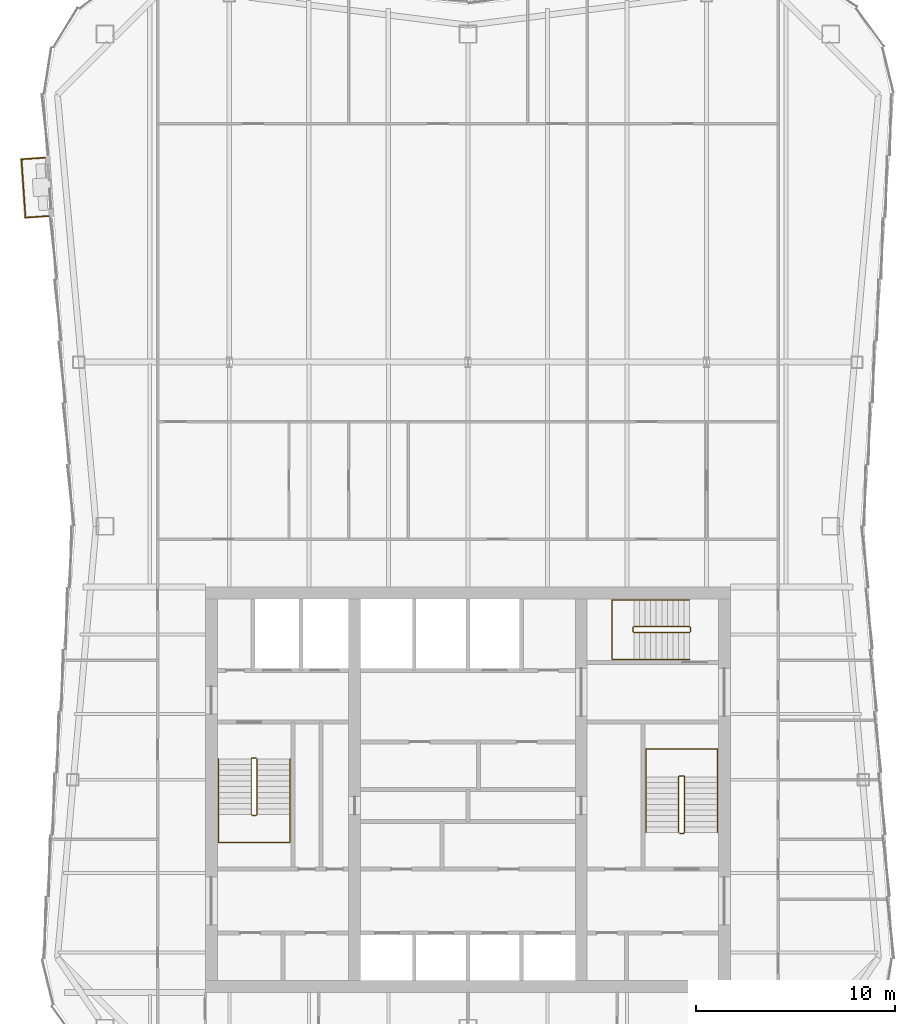
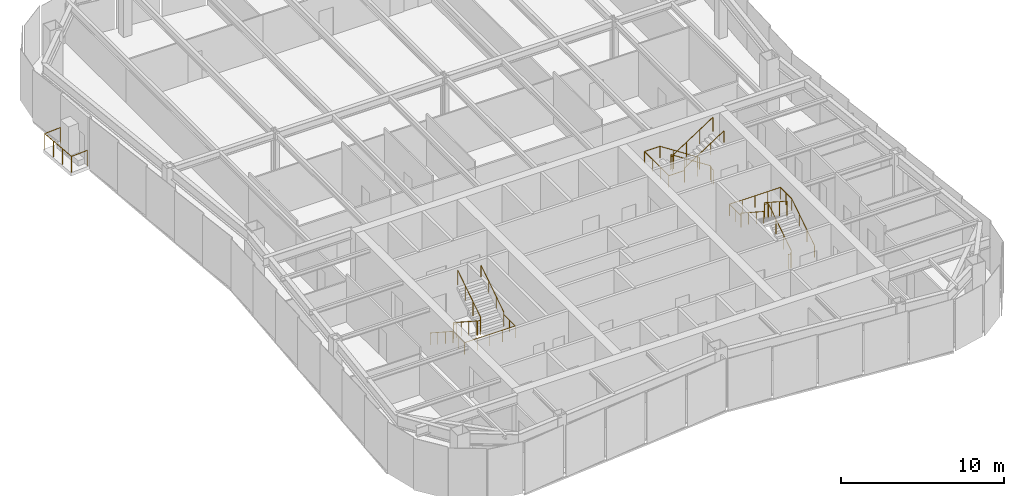
# One storey, part 10 of 11: 7 railings.
"""IFC4 building model written with IfcOpenShell, lengths in metres."""

from ifc_helpers import new_model, si_unit, direction, frame, origin, origin_2d, place, context, subcontext, project, spatial, circle, extrude, material, type_object, element, save


model = new_model("IFC4")

# Units and contexts
model_context = context("Model", 3, precision=1e-05, world=origin(), true_north=direction((0.0, 1.0)))
body_context = subcontext(model_context, "Body", "Model", "MODEL_VIEW")
ifc_project = project(units=[si_unit("LENGTHUNIT", "METRE"), si_unit("AREAUNIT", "SQUARE_METRE"), si_unit("VOLUMEUNIT", "CUBIC_METRE"), si_unit("PLANEANGLEUNIT", "RADIAN"), si_unit("MASSUNIT", "GRAM", prefix="KILO")], contexts=[model_context])

# Site, building, storey
site_placement = place(None, origin())
site = spatial("IfcSite", under=ifc_project, at=site_placement, CompositionType="ELEMENT")
building_placement = place(site_placement, origin())
building = spatial("IfcBuilding", under=site, at=building_placement, Name="Verdant Reach Tower", CompositionType="ELEMENT")
storey_placement = place(building_placement, frame((0.0, 0.0, 314.0)))
storey = spatial("IfcBuildingStorey", under=building, at=storey_placement, Name="L72", CompositionType="ELEMENT", Elevation=314.0)

# Railings
ifc_material_1 = material(Name="Stainless steel", Category="steel")
railing_type_1 = type_object("IfcRailingType", Name="CO-GUARD", PredefinedType="GUARDRAIL", material=ifc_material_1)
railing_1_placement = place(storey_placement, frame((-10.64990234375, 29.60009765625, 0.0)))
element("IfcRailing", 1, at=railing_1_placement, inside=storey, type_object=railing_type_1, Name="L72 ST-1 stair guard 1", PredefinedType="GUARDRAIL", context=body_context, shape_type="SweptSolid", body=[
    extrude(circle(Radius=0.02392578125, at=origin_2d()), frame((0.0, 0.0, 1.076171875), z_axis=(-1.0, 0.0, 0.0), x_axis=(0.0, -1.0, 0.0)), (0.0, 0.0, 1.0), 0.2001953125),
    extrude(circle(Radius=0.02392578125, at=origin_2d()), frame((-0.2001953125, 0.0, 1.076171875), z_axis=(-0.25526617399, -0.256517478764, 0.932222056972), x_axis=(0.708833529934, -0.705375805398, 0.0)), (0.0, 0.0, 1.0), 0.195068359375),
    extrude(circle(Radius=0.02392578125, at=origin_2d()), frame((-0.25, -0.050048828125, 1.2578125), z_axis=(0.0, -0.838705829183, 0.544584733623), x_axis=(1.0, 0.0, 0.0)), (0.0, 0.0, 1.0), 3.338623046875),
    extrude(circle(Radius=0.02392578125, at=origin_2d()), frame((-0.25, -2.85009765625, 3.076171875), z_axis=(0.705375805398, -0.708833529934, 0.0), x_axis=(0.708833529934, 0.705375805398, 0.0)), (0.0, 0.0, 1.0), 0.070556640625),
    extrude(circle(Radius=0.02392578125, at=origin_2d()), frame((-0.2001953125, -2.900146484375, 3.076171875), z_axis=(1.0, 0.0, 0.0), x_axis=(0.0, 1.0, 0.0)), (0.0, 0.0, 1.0), 0.2001953125),
    extrude(circle(Radius=0.02392578125, at=origin_2d()), frame((0.0, -2.900146484375, 3.076171875), z_axis=(0.25526617399, 0.256517478764, 0.932222056972), x_axis=(-0.708833529934, 0.705375805398, 0.0)), (0.0, 0.0, 1.0), 0.195068359375),
    extrude(circle(Radius=0.02392578125, at=origin_2d()), frame((0.0498046875, -2.85009765625, 3.2578125), z_axis=(0.0, 0.838705829183, 0.544584733623), x_axis=(-1.0, 0.0, 0.0)), (0.0, 0.0, 1.0), 3.338623046875),
    extrude(circle(Radius=0.02099609375, at=origin_2d()), origin(), (0.0, 0.0, 1.0), 1.052001953125),
    extrude(circle(Radius=0.02099609375, at=origin_2d()), frame((-0.2001953125, 0.0, 0.0)), (0.0, 0.0, 1.0), 1.052001953125),
    extrude(circle(Radius=0.02099609375, at=origin_2d()), frame((-0.25, -0.050048828125, 0.181884765625)), (0.0, 0.0, 1.0), 1.052001953125),
    extrude(circle(Radius=0.02099609375, at=origin_2d()), frame((-0.25, -0.9833984375, 0.787841796875)), (0.0, 0.0, 1.0), 1.052001953125),
    extrude(circle(Radius=0.02099609375, at=origin_2d()), frame((-0.25, -1.916748046875, 1.39404296875)), (0.0, 0.0, 1.0), 1.052001953125),
    extrude(circle(Radius=0.02099609375, at=origin_2d()), frame((-0.25, -2.85009765625, 2.0)), (0.0, 0.0, 1.0), 1.052001953125),
    extrude(circle(Radius=0.02099609375, at=origin_2d()), frame((-0.2001953125, -2.900146484375, 2.0)), (0.0, 0.0, 1.0), 1.052001953125),
    extrude(circle(Radius=0.02099609375, at=origin_2d()), frame((0.0, -2.900146484375, 2.0)), (0.0, 0.0, 1.0), 1.052001953125),
    extrude(circle(Radius=0.02099609375, at=origin_2d()), frame((0.0498046875, -2.85009765625, 2.181884765625)), (0.0, 0.0, 1.0), 1.052001953125),
    extrude(circle(Radius=0.02099609375, at=origin_2d()), frame((0.0498046875, -1.916748046875, 2.787841796875)), (0.0, 0.0, 1.0), 1.052001953125),
    extrude(circle(Radius=0.02099609375, at=origin_2d()), frame((0.0498046875, -0.9833984375, 3.39404296875)), (0.0, 0.0, 1.0), 1.052001953125),
    extrude(circle(Radius=0.02099609375, at=origin_2d()), frame((0.0498046875, -0.050048828125, 4.0)), (0.0, 0.0, 1.0), 1.052001953125),
])
railing_2_placement = place(storey_placement, frame((10.64990234375, 25.800048828125, 0.0)))
element("IfcRailing", 2, at=railing_2_placement, inside=storey, type_object=railing_type_1, Name="L72 ST-2 stair guard 1", PredefinedType="GUARDRAIL", context=body_context, shape_type="SweptSolid", body=[
    extrude(circle(Radius=0.02392578125, at=origin_2d()), frame((0.0, 0.0, 1.076171875), z_axis=(1.0, 0.0, 0.0), x_axis=(0.0, 1.0, 0.0)), (0.0, 0.0, 1.0), 0.2001953125),
    extrude(circle(Radius=0.02392578125, at=origin_2d()), frame((0.2001953125, 0.0, 1.076171875), z_axis=(0.25526617399, 0.256517478764, 0.932222056972), x_axis=(-0.708833529934, 0.705375805398, 0.0)), (0.0, 0.0, 1.0), 0.195068359375),
    extrude(circle(Radius=0.02392578125, at=origin_2d()), frame((0.25, 0.050048828125, 1.2578125), z_axis=(0.0, 0.83868413941, 0.544618136222), x_axis=(-1.0, 0.0, 0.0)), (0.0, 0.0, 1.0), 3.33837890625),
    extrude(circle(Radius=0.02392578125, at=origin_2d()), frame((0.25, 2.849853515625, 3.076171875), z_axis=(-0.705375805398, 0.708833529934, 0.0), x_axis=(-0.708833529934, -0.705375805398, 0.0)), (0.0, 0.0, 1.0), 0.070556640625),
    extrude(circle(Radius=0.02392578125, at=origin_2d()), frame((0.2001953125, 2.89990234375, 3.076171875), z_axis=(-1.0, 0.0, 0.0), x_axis=(0.0, -1.0, 0.0)), (0.0, 0.0, 1.0), 0.2001953125),
    extrude(circle(Radius=0.02392578125, at=origin_2d()), frame((0.0, 2.89990234375, 3.076171875), z_axis=(-0.25526617399, -0.256517478764, 0.932222056972), x_axis=(0.708833529934, -0.705375805398, 0.0)), (0.0, 0.0, 1.0), 0.195068359375),
    extrude(circle(Radius=0.02392578125, at=origin_2d()), frame((-0.0498046875, 2.849853515625, 3.2578125), z_axis=(0.0, -0.83868413941, 0.544618136222), x_axis=(1.0, 0.0, 0.0)), (0.0, 0.0, 1.0), 3.33837890625),
    extrude(circle(Radius=0.02099609375, at=origin_2d()), origin(), (0.0, 0.0, 1.0), 1.052001953125),
    extrude(circle(Radius=0.02099609375, at=origin_2d()), frame((0.2001953125, 0.0, 0.0)), (0.0, 0.0, 1.0), 1.052001953125),
    extrude(circle(Radius=0.02099609375, at=origin_2d()), frame((0.25, 0.050048828125, 0.181884765625)), (0.0, 0.0, 1.0), 1.052001953125),
    extrude(circle(Radius=0.02099609375, at=origin_2d()), frame((0.25, 0.9833984375, 0.787841796875)), (0.0, 0.0, 1.0), 1.052001953125),
    extrude(circle(Radius=0.02099609375, at=origin_2d()), frame((0.25, 1.91650390625, 1.39404296875)), (0.0, 0.0, 1.0), 1.052001953125),
    extrude(circle(Radius=0.02099609375, at=origin_2d()), frame((0.25, 2.849853515625, 2.0)), (0.0, 0.0, 1.0), 1.052001953125),
    extrude(circle(Radius=0.02099609375, at=origin_2d()), frame((0.2001953125, 2.89990234375, 2.0)), (0.0, 0.0, 1.0), 1.052001953125),
    extrude(circle(Radius=0.02099609375, at=origin_2d()), frame((0.0, 2.89990234375, 2.0)), (0.0, 0.0, 1.0), 1.052001953125),
    extrude(circle(Radius=0.02099609375, at=origin_2d()), frame((-0.0498046875, 2.849853515625, 2.181884765625)), (0.0, 0.0, 1.0), 1.052001953125),
    extrude(circle(Radius=0.02099609375, at=origin_2d()), frame((-0.0498046875, 1.91650390625, 2.787841796875)), (0.0, 0.0, 1.0), 1.052001953125),
    extrude(circle(Radius=0.02099609375, at=origin_2d()), frame((-0.0498046875, 0.9833984375, 3.39404296875)), (0.0, 0.0, 1.0), 1.052001953125),
    extrude(circle(Radius=0.02099609375, at=origin_2d()), frame((-0.0498046875, 0.050048828125, 4.0)), (0.0, 0.0, 1.0), 1.052001953125),
])
railing_3_placement = place(storey_placement, frame((11.199951171875, 35.949951171875, 0.0)))
element("IfcRailing", 3, at=railing_3_placement, inside=storey, type_object=railing_type_1, Name="L72 ST-3 stair guard 1", PredefinedType="GUARDRAIL", context=body_context, shape_type="SweptSolid", body=[
    extrude(circle(Radius=0.02392578125, at=origin_2d()), frame((0.0, 0.0, 1.076171875), z_axis=(0.0, 1.0, 0.0), x_axis=(-1.0, 0.0, 0.0)), (0.0, 0.0, 1.0), 0.199951171875),
    extrude(circle(Radius=0.02392578125, at=origin_2d()), frame((0.0, 0.199951171875, 1.076171875), z_axis=(-0.256435381639, 0.256435381639, 0.931923704005), x_axis=(-0.707106781187, -0.707106781187, 0.0)), (0.0, 0.0, 1.0), 0.195068359375),
    extrude(circle(Radius=0.02392578125, at=origin_2d()), frame((-0.050048828125, 0.25, 1.2578125), z_axis=(-0.83868413941, 0.0, 0.544618136222), x_axis=(0.0, -1.0, 0.0)), (0.0, 0.0, 1.0), 3.33837890625),
    extrude(circle(Radius=0.02392578125, at=origin_2d()), frame((-2.849853515625, 0.25, 3.076171875), z_axis=(-0.707106781187, -0.707106781187, 0.0), x_axis=(0.707106781187, -0.707106781187, 0.0)), (0.0, 0.0, 1.0), 0.07080078125),
    extrude(circle(Radius=0.02392578125, at=origin_2d()), frame((-2.89990234375, 0.199951171875, 3.076171875), z_axis=(0.0, -1.0, 0.0), x_axis=(1.0, 0.0, 0.0)), (0.0, 0.0, 1.0), 0.199951171875),
    extrude(circle(Radius=0.02392578125, at=origin_2d()), frame((-2.89990234375, 0.0, 3.076171875), z_axis=(0.256435381639, -0.256435381639, 0.931923704005), x_axis=(0.707106781187, 0.707106781187, 0.0)), (0.0, 0.0, 1.0), 0.195068359375),
    extrude(circle(Radius=0.02392578125, at=origin_2d()), frame((-2.849853515625, -0.050048828125, 3.2578125), z_axis=(0.83868413941, 0.0, 0.544618136222), x_axis=(0.0, 1.0, 0.0)), (0.0, 0.0, 1.0), 3.33837890625),
    extrude(circle(Radius=0.02099609375, at=origin_2d()), origin(), (0.0, 0.0, 1.0), 1.052001953125),
    extrude(circle(Radius=0.02099609375, at=origin_2d()), frame((0.0, 0.199951171875, 0.0)), (0.0, 0.0, 1.0), 1.052001953125),
    extrude(circle(Radius=0.02099609375, at=origin_2d()), frame((-0.050048828125, 0.25, 0.181884765625)), (0.0, 0.0, 1.0), 1.052001953125),
    extrude(circle(Radius=0.02099609375, at=origin_2d()), frame((-0.9833984375, 0.25, 0.787841796875)), (0.0, 0.0, 1.0), 1.052001953125),
    extrude(circle(Radius=0.02099609375, at=origin_2d()), frame((-1.91650390625, 0.25, 1.39404296875)), (0.0, 0.0, 1.0), 1.052001953125),
    extrude(circle(Radius=0.02099609375, at=origin_2d()), frame((-2.849853515625, 0.25, 2.0)), (0.0, 0.0, 1.0), 1.052001953125),
    extrude(circle(Radius=0.02099609375, at=origin_2d()), frame((-2.89990234375, 0.199951171875, 2.0)), (0.0, 0.0, 1.0), 1.052001953125),
    extrude(circle(Radius=0.02099609375, at=origin_2d()), frame((-2.89990234375, 0.0, 2.0)), (0.0, 0.0, 1.0), 1.052001953125),
    extrude(circle(Radius=0.02099609375, at=origin_2d()), frame((-2.849853515625, -0.050048828125, 2.181884765625)), (0.0, 0.0, 1.0), 1.052001953125),
    extrude(circle(Radius=0.02099609375, at=origin_2d()), frame((-1.91650390625, -0.050048828125, 2.787841796875)), (0.0, 0.0, 1.0), 1.052001953125),
    extrude(circle(Radius=0.02099609375, at=origin_2d()), frame((-0.9833984375, -0.050048828125, 3.39404296875)), (0.0, 0.0, 1.0), 1.052001953125),
    extrude(circle(Radius=0.02099609375, at=origin_2d()), frame((-0.050048828125, -0.050048828125, 4.0)), (0.0, 0.0, 1.0), 1.052001953125),
])
railing_type_2 = type_object("IfcRailingType", Name="CO-HANDRAIL", PredefinedType="HANDRAIL", material=ifc_material_1)
railing_4_placement = place(storey_placement, frame((-12.550048828125, 29.550048828125, 0.181884765625)))
element("IfcRailing", 4, at=railing_4_placement, inside=storey, type_object=railing_type_2, Name="L72 ST-1 stair handrail 1", PredefinedType="HANDRAIL", context=body_context, shape_type="SweptSolid", body=[
    extrude(circle(Radius=0.02392578125, at=origin_2d()), frame((0.0, 0.0, 0.8759765625), z_axis=(0.0, -0.838705829183, 0.544584733623), x_axis=(1.0, 0.0, 0.0)), (0.0, 0.0, 1.0), 3.338623046875),
    extrude(circle(Radius=0.02392578125, at=origin_2d()), frame((0.0, -2.800048828125, 2.69384765625), z_axis=(0.0, -1.0, 0.0), x_axis=(1.0, 0.0, 0.0)), (0.0, 0.0, 1.0), 1.39990234375),
    extrude(circle(Radius=0.02392578125, at=origin_2d()), frame((0.0, -4.199951171875, 2.69384765625), z_axis=(1.0, 0.0, 0.0), x_axis=(0.0, 1.0, 0.0)), (0.0, 0.0, 1.0), 3.60009765625),
    extrude(circle(Radius=0.02392578125, at=origin_2d()), frame((3.60009765625, -4.199951171875, 2.69384765625), z_axis=(0.0, 1.0, 0.0), x_axis=(-1.0, 0.0, 0.0)), (0.0, 0.0, 1.0), 1.39990234375),
    extrude(circle(Radius=0.02392578125, at=origin_2d()), frame((3.60009765625, -2.800048828125, 2.69384765625), z_axis=(0.0, 0.0, 1.0), x_axis=(1.0, 0.0, 0.0)), (0.0, 0.0, 1.0), 0.181884765625),
    extrude(circle(Radius=0.02392578125, at=origin_2d()), frame((3.60009765625, -2.800048828125, 2.8759765625), z_axis=(0.0, 0.838705829183, 0.544584733623), x_axis=(-1.0, 0.0, 0.0)), (0.0, 0.0, 1.0), 3.338623046875),
    extrude(circle(Radius=0.02099609375, at=origin_2d()), origin(), (0.0, 0.0, 1.0), 0.851806640625),
    extrude(circle(Radius=0.02099609375, at=origin_2d()), frame((0.0, -0.933349609375, 0.60595703125)), (0.0, 0.0, 1.0), 0.851806640625),
    extrude(circle(Radius=0.02099609375, at=origin_2d()), frame((0.0, -1.86669921875, 1.212158203125)), (0.0, 0.0, 1.0), 0.851806640625),
    extrude(circle(Radius=0.02099609375, at=origin_2d()), frame((0.0, -2.800048828125, 1.818115234375)), (0.0, 0.0, 1.0), 0.851806640625),
    extrude(circle(Radius=0.02099609375, at=origin_2d()), frame((0.0, -3.5, 1.818115234375)), (0.0, 0.0, 1.0), 0.851806640625),
    extrude(circle(Radius=0.02099609375, at=origin_2d()), frame((0.0, -4.199951171875, 1.818115234375)), (0.0, 0.0, 1.0), 0.851806640625),
    extrude(circle(Radius=0.02099609375, at=origin_2d()), frame((0.89990234375, -4.199951171875, 1.818115234375)), (0.0, 0.0, 1.0), 0.851806640625),
    extrude(circle(Radius=0.02099609375, at=origin_2d()), frame((1.800048828125, -4.199951171875, 1.818115234375)), (0.0, 0.0, 1.0), 0.851806640625),
    extrude(circle(Radius=0.02099609375, at=origin_2d()), frame((2.7001953125, -4.199951171875, 1.818115234375)), (0.0, 0.0, 1.0), 0.851806640625),
    extrude(circle(Radius=0.02099609375, at=origin_2d()), frame((3.60009765625, -4.199951171875, 1.818115234375)), (0.0, 0.0, 1.0), 0.851806640625),
    extrude(circle(Radius=0.02099609375, at=origin_2d()), frame((3.60009765625, -3.5, 1.818115234375)), (0.0, 0.0, 1.0), 0.851806640625),
    extrude(circle(Radius=0.02099609375, at=origin_2d()), frame((3.60009765625, -2.800048828125, 1.818115234375)), (0.0, 0.0, 1.0), 0.851806640625),
    extrude(circle(Radius=0.02099609375, at=origin_2d()), frame((3.60009765625, -2.800048828125, 2.0)), (0.0, 0.0, 1.0), 0.851806640625),
    extrude(circle(Radius=0.02099609375, at=origin_2d()), frame((3.60009765625, -1.86669921875, 2.60595703125)), (0.0, 0.0, 1.0), 0.851806640625),
    extrude(circle(Radius=0.02099609375, at=origin_2d()), frame((3.60009765625, -0.933349609375, 3.212158203125)), (0.0, 0.0, 1.0), 0.851806640625),
    extrude(circle(Radius=0.02099609375, at=origin_2d()), frame((3.60009765625, 0.0, 3.818115234375)), (0.0, 0.0, 1.0), 0.851806640625),
])
railing_5_placement = place(storey_placement, frame((12.550048828125, 25.85009765625, 0.181884765625)))
element("IfcRailing", 5, at=railing_5_placement, inside=storey, type_object=railing_type_2, Name="L72 ST-2 stair handrail 1", PredefinedType="HANDRAIL", context=body_context, shape_type="SweptSolid", body=[
    extrude(circle(Radius=0.02392578125, at=origin_2d()), frame((0.0, 0.0, 0.8759765625), z_axis=(0.0, 0.83868413941, 0.544618136222), x_axis=(-1.0, 0.0, 0.0)), (0.0, 0.0, 1.0), 3.33837890625),
    extrude(circle(Radius=0.02392578125, at=origin_2d()), frame((0.0, 2.7998046875, 2.69384765625), z_axis=(0.0, 1.0, 0.0), x_axis=(-1.0, 0.0, 0.0)), (0.0, 0.0, 1.0), 1.400146484375),
    extrude(circle(Radius=0.02392578125, at=origin_2d()), frame((0.0, 4.199951171875, 2.69384765625), z_axis=(-1.0, 0.0, 0.0), x_axis=(0.0, -1.0, 0.0)), (0.0, 0.0, 1.0), 3.60009765625),
    extrude(circle(Radius=0.02392578125, at=origin_2d()), frame((-3.60009765625, 4.199951171875, 2.69384765625), z_axis=(0.0, -1.0, 0.0), x_axis=(1.0, 0.0, 0.0)), (0.0, 0.0, 1.0), 1.400146484375),
    extrude(circle(Radius=0.02392578125, at=origin_2d()), frame((-3.60009765625, 2.7998046875, 2.69384765625), z_axis=(0.0, 0.0, 1.0), x_axis=(1.0, 0.0, 0.0)), (0.0, 0.0, 1.0), 0.181884765625),
    extrude(circle(Radius=0.02392578125, at=origin_2d()), frame((-3.60009765625, 2.7998046875, 2.8759765625), z_axis=(0.0, -0.83868413941, 0.544618136222), x_axis=(1.0, 0.0, 0.0)), (0.0, 0.0, 1.0), 3.33837890625),
    extrude(circle(Radius=0.02099609375, at=origin_2d()), origin(), (0.0, 0.0, 1.0), 0.851806640625),
    extrude(circle(Radius=0.02099609375, at=origin_2d()), frame((0.0, 0.933349609375, 0.60595703125)), (0.0, 0.0, 1.0), 0.851806640625),
    extrude(circle(Radius=0.02099609375, at=origin_2d()), frame((0.0, 1.866455078125, 1.212158203125)), (0.0, 0.0, 1.0), 0.851806640625),
    extrude(circle(Radius=0.02099609375, at=origin_2d()), frame((0.0, 2.7998046875, 1.818115234375)), (0.0, 0.0, 1.0), 0.851806640625),
    extrude(circle(Radius=0.02099609375, at=origin_2d()), frame((0.0, 3.5, 1.818115234375)), (0.0, 0.0, 1.0), 0.851806640625),
    extrude(circle(Radius=0.02099609375, at=origin_2d()), frame((0.0, 4.199951171875, 1.818115234375)), (0.0, 0.0, 1.0), 0.851806640625),
    extrude(circle(Radius=0.02099609375, at=origin_2d()), frame((-0.89990234375, 4.199951171875, 1.818115234375)), (0.0, 0.0, 1.0), 0.851806640625),
    extrude(circle(Radius=0.02099609375, at=origin_2d()), frame((-1.800048828125, 4.199951171875, 1.818115234375)), (0.0, 0.0, 1.0), 0.851806640625),
    extrude(circle(Radius=0.02099609375, at=origin_2d()), frame((-2.7001953125, 4.199951171875, 1.818115234375)), (0.0, 0.0, 1.0), 0.851806640625),
    extrude(circle(Radius=0.02099609375, at=origin_2d()), frame((-3.60009765625, 4.199951171875, 1.818115234375)), (0.0, 0.0, 1.0), 0.851806640625),
    extrude(circle(Radius=0.02099609375, at=origin_2d()), frame((-3.60009765625, 3.5, 1.818115234375)), (0.0, 0.0, 1.0), 0.851806640625),
    extrude(circle(Radius=0.02099609375, at=origin_2d()), frame((-3.60009765625, 2.7998046875, 1.818115234375)), (0.0, 0.0, 1.0), 0.851806640625),
    extrude(circle(Radius=0.02099609375, at=origin_2d()), frame((-3.60009765625, 2.7998046875, 2.0)), (0.0, 0.0, 1.0), 0.851806640625),
    extrude(circle(Radius=0.02099609375, at=origin_2d()), frame((-3.60009765625, 1.866455078125, 2.60595703125)), (0.0, 0.0, 1.0), 0.851806640625),
    extrude(circle(Radius=0.02099609375, at=origin_2d()), frame((-3.60009765625, 0.933349609375, 3.212158203125)), (0.0, 0.0, 1.0), 0.851806640625),
    extrude(circle(Radius=0.02099609375, at=origin_2d()), frame((-3.60009765625, 0.0, 3.818115234375)), (0.0, 0.0, 1.0), 0.851806640625),
])
railing_6_placement = place(storey_placement, frame((11.14990234375, 37.550048828125, 0.181884765625)))
element("IfcRailing", 6, at=railing_6_placement, inside=storey, type_object=railing_type_2, Name="L72 ST-3 stair handrail 1", PredefinedType="HANDRAIL", context=body_context, shape_type="SweptSolid", body=[
    extrude(circle(Radius=0.02392578125, at=origin_2d()), frame((0.0, 0.0, 0.8759765625), z_axis=(-0.83868413941, 0.0, 0.544618136222), x_axis=(0.0, -1.0, 0.0)), (0.0, 0.0, 1.0), 3.33837890625),
    extrude(circle(Radius=0.02392578125, at=origin_2d()), frame((-2.7998046875, 0.0, 2.69384765625), z_axis=(-1.0, 0.0, 0.0), x_axis=(0.0, -1.0, 0.0)), (0.0, 0.0, 1.0), 1.10009765625),
    extrude(circle(Radius=0.02392578125, at=origin_2d()), frame((-3.89990234375, 0.0, 2.69384765625), z_axis=(0.0, -1.0, 0.0), x_axis=(1.0, 0.0, 0.0)), (0.0, 0.0, 1.0), 3.0),
    extrude(circle(Radius=0.02392578125, at=origin_2d()), frame((-3.89990234375, -3.0, 2.69384765625), z_axis=(1.0, 0.0, 0.0), x_axis=(0.0, 1.0, 0.0)), (0.0, 0.0, 1.0), 1.10009765625),
    extrude(circle(Radius=0.02392578125, at=origin_2d()), frame((-2.7998046875, -3.0, 2.69384765625), z_axis=(0.0, 0.0, 1.0), x_axis=(1.0, 0.0, 0.0)), (0.0, 0.0, 1.0), 0.181884765625),
    extrude(circle(Radius=0.02392578125, at=origin_2d()), frame((-2.7998046875, -3.0, 2.8759765625), z_axis=(0.83868413941, 0.0, 0.544618136222), x_axis=(0.0, 1.0, 0.0)), (0.0, 0.0, 1.0), 3.33837890625),
    extrude(circle(Radius=0.02099609375, at=origin_2d()), origin(), (0.0, 0.0, 1.0), 0.851806640625),
    extrude(circle(Radius=0.02099609375, at=origin_2d()), frame((-0.933349609375, 0.0, 0.60595703125)), (0.0, 0.0, 1.0), 0.851806640625),
    extrude(circle(Radius=0.02099609375, at=origin_2d()), frame((-1.866455078125, 0.0, 1.212158203125)), (0.0, 0.0, 1.0), 0.851806640625),
    extrude(circle(Radius=0.02099609375, at=origin_2d()), frame((-2.7998046875, 0.0, 1.818115234375)), (0.0, 0.0, 1.0), 0.851806640625),
    extrude(circle(Radius=0.02099609375, at=origin_2d()), frame((-3.89990234375, 0.0, 1.818115234375)), (0.0, 0.0, 1.0), 0.851806640625),
    extrude(circle(Radius=0.02099609375, at=origin_2d()), frame((-3.89990234375, -1.0, 1.818115234375)), (0.0, 0.0, 1.0), 0.851806640625),
    extrude(circle(Radius=0.02099609375, at=origin_2d()), frame((-3.89990234375, -2.0, 1.818115234375)), (0.0, 0.0, 1.0), 0.851806640625),
    extrude(circle(Radius=0.02099609375, at=origin_2d()), frame((-3.89990234375, -3.0, 1.818115234375)), (0.0, 0.0, 1.0), 0.851806640625),
    extrude(circle(Radius=0.02099609375, at=origin_2d()), frame((-2.7998046875, -3.0, 1.818115234375)), (0.0, 0.0, 1.0), 0.851806640625),
    extrude(circle(Radius=0.02099609375, at=origin_2d()), frame((-2.7998046875, -3.0, 2.0)), (0.0, 0.0, 1.0), 0.851806640625),
    extrude(circle(Radius=0.02099609375, at=origin_2d()), frame((-1.866455078125, -3.0, 2.60595703125)), (0.0, 0.0, 1.0), 0.851806640625),
    extrude(circle(Radius=0.02099609375, at=origin_2d()), frame((-0.933349609375, -3.0, 3.212158203125)), (0.0, 0.0, 1.0), 0.851806640625),
    extrude(circle(Radius=0.02099609375, at=origin_2d()), frame((0.0, -3.0, 3.818115234375)), (0.0, 0.0, 1.0), 0.851806640625),
])
ifc_material_2 = material(Name="Stainless steel and laminated glass balustrade", Category="steel")
railing_type_3 = type_object("IfcRailingType", Name="EN-RAILING BALCONY", PredefinedType="GUARDRAIL", material=ifc_material_2)
railing_7_placement = place(storey_placement, frame((-21.289306640625, 59.790283203125, 0.0)))
element("IfcRailing", 7, at=railing_7_placement, inside=storey, type_object=railing_type_3, Name="Balcony guard 1, L72", PredefinedType="GUARDRAIL", context=body_context, shape_type="SweptSolid", body=[
    extrude(circle(Radius=0.02490234375, at=origin_2d()), frame((0.0, 0.0, 1.1748046875), z_axis=(-0.997626375729, -0.068859381717, 0.0), x_axis=(0.068859381717, -0.997626375729, 0.0)), (0.0, 0.0, 1.0), 1.169921875),
    extrude(circle(Radius=0.02490234375, at=origin_2d()), frame((-1.167236328125, -0.08056640625, 1.1748046875), z_axis=(0.068819165156, -0.997629150791, 0.0), x_axis=(0.997629150791, 0.068819165156, 0.0)), (0.0, 0.0, 1.0), 2.944580078125),
    extrude(circle(Radius=0.02490234375, at=origin_2d()), frame((-0.964599609375, -3.01806640625, 1.1748046875), z_axis=(0.997640688741, 0.068651701861, 0.0), x_axis=(-0.068651701861, 0.997640688741, 0.0)), (0.0, 0.0, 1.0), 1.169921875),
    extrude(circle(Radius=0.02490234375, at=origin_2d()), origin(), (0.0, 0.0, 1.0), 1.14990234375),
    extrude(circle(Radius=0.02490234375, at=origin_2d()), frame((-1.167236328125, -0.08056640625, 0.0)), (0.0, 0.0, 1.0), 1.14990234375),
    extrude(circle(Radius=0.02490234375, at=origin_2d()), frame((-1.099609375, -1.059814453125, 0.0)), (0.0, 0.0, 1.0), 1.14990234375),
    extrude(circle(Radius=0.02490234375, at=origin_2d()), frame((-1.0322265625, -2.038818359375, 0.0)), (0.0, 0.0, 1.0), 1.14990234375),
    extrude(circle(Radius=0.02490234375, at=origin_2d()), frame((-0.964599609375, -3.01806640625, 0.0)), (0.0, 0.0, 1.0), 1.14990234375),
    extrude(circle(Radius=0.02490234375, at=origin_2d()), frame((0.20263671875, -2.937744140625, 0.0)), (0.0, 0.0, 1.0), 1.14990234375),
])

save(model, "model.ifc")
